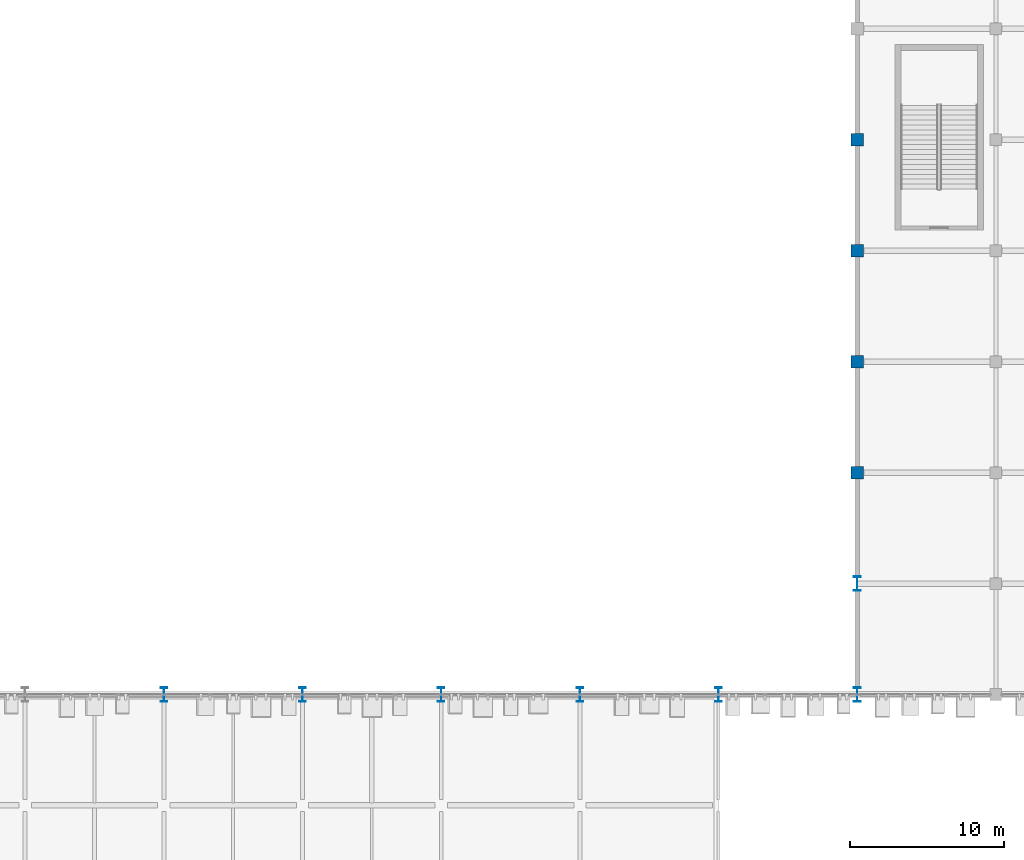
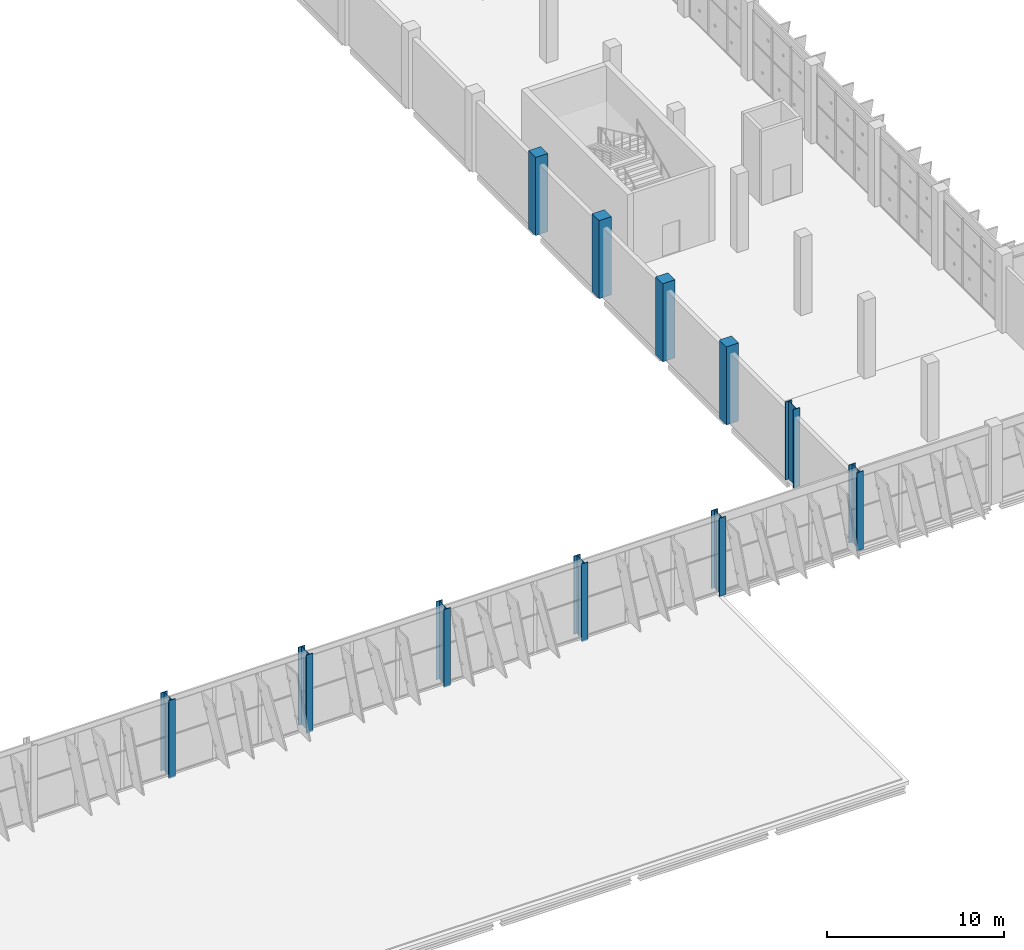
# One storey, part 2 of 189: 11 columns.
"""IFC4 building model written with IfcOpenShell, lengths in metres."""

from ifc_helpers import new_model, si_unit, direction, frame, origin, origin_2d, place, context, subcontext, project, spatial, rectangle, i_section, extrude, material, material_profile, profile_set, type_object, element, save


model = new_model("IFC4")

# Units and contexts
model_context = context("Model", 3, precision=1e-05, world=origin(), true_north=direction((0.0, 1.0)))
body_context = subcontext(model_context, "Body", "Model", "MODEL_VIEW")
ifc_project = project(units=[si_unit("LENGTHUNIT", "METRE"), si_unit("AREAUNIT", "SQUARE_METRE"), si_unit("VOLUMEUNIT", "CUBIC_METRE"), si_unit("PLANEANGLEUNIT", "RADIAN"), si_unit("MASSUNIT", "GRAM", prefix="KILO")], contexts=[model_context])

# Site, building, storey
site_placement = place(None, origin())
site = spatial("IfcSite", under=ifc_project, at=site_placement, CompositionType="ELEMENT")
building_placement = place(site_placement, origin())
building = spatial("IfcBuilding", under=site, at=building_placement, Name="Celestram Park Convention Centre", CompositionType="ELEMENT")
storey_placement = place(building_placement, frame((0.0, 0.0, 5.39990234375)))
storey = spatial("IfcBuildingStorey", under=building, at=storey_placement, Name="L01", CompositionType="ELEMENT", Elevation=5.39990234375)

# Columns
ifc_material_1 = material(Name="Concrete C40/50", Category="concrete")
ifc_material_profile_1 = material_profile(ifc_material_1, rectangle(XDim=0.800048828125, YDim=0.800048828125, at=origin_2d()), Name="RC800X800")
ifc_profile_set_1 = profile_set([ifc_material_profile_1], Name="Concrete C40/50")
column_type_1 = type_object("IfcColumnType", Name="STR-COL-RC800", PredefinedType="COLUMN", material=ifc_profile_set_1)
for number, where, z_axis, x_axis, name in (
    (1, (126.0, 36.0, 0.0), (0.0, 0.0, 1.0), (1.0, 0.0, 0.0), "Column CN-L01-139"),
    (2, (126.0, 43.199951171875, 0.0), (0.0, 0.0, 1.0), (1.0, 0.0, 0.0), "Column CN-L01-140"),
    (3, (126.0, 50.39990234375, 0.0), (0.0, 0.0, 1.0), (1.0, 0.0, 0.0), "Column CN-L01-141"),
    (4, (126.0, 57.60009765625, 0.0), (0.0, 0.0, 1.0), (1.0, 0.0, 0.0), "Column CN-L01-142"),
):
    element("IfcColumn", number, at=place(storey_placement, frame(where, z_axis=z_axis, x_axis=x_axis)), inside=storey, type_object=column_type_1, Name=name, PredefinedType="COLUMN", context=body_context, shape_type="SweptSolid", body=[
        extrude(rectangle(XDim=0.800048828125, YDim=0.800048828125, at=origin_2d()), origin(), (0.0, 0.0, 1.0), 5.400146484375),
    ])
ifc_material_2 = material(Name="Steel ASTM A992 Grade 50", Category="steel")
ifc_material_profile_2 = material_profile(ifc_material_2, i_section(OverallWidth=0.424072265625, OverallDepth=0.931884765625, WebThickness=0.02392578125, FlangeThickness=0.042724609375, at=origin_2d()), Name="W36X302")
ifc_profile_set_2 = profile_set([ifc_material_profile_2], Name="Steel ASTM A992 Grade 50")
column_type_2 = type_object("IfcColumnType", Name="STR-COL-W36X302", PredefinedType="COLUMN", material=ifc_profile_set_2)
for number, where, z_axis, x_axis, name in (
    (5, (81.0, 21.60009765625, 0.0), (0.0, 0.0, 1.0), (1.0, 0.0, 0.0), "Column CN-L01-087"),
    (6, (90.0, 21.60009765625, 0.0), (0.0, 0.0, 1.0), (1.0, 0.0, 0.0), "Column CN-L01-097"),
    (7, (99.0, 21.60009765625, 0.0), (0.0, 0.0, 1.0), (1.0, 0.0, 0.0), "Column CN-L01-107"),
    (8, (108.0, 21.60009765625, 0.0), (0.0, 0.0, 1.0), (1.0, 0.0, 0.0), "Column CN-L01-117"),
    (9, (117.0, 21.60009765625, 0.0), (0.0, 0.0, 1.0), (1.0, 0.0, 0.0), "Column CN-L01-127"),
    (10, (126.0, 21.60009765625, 0.0), (0.0, 0.0, 1.0), (1.0, 0.0, 0.0), "Column CN-L01-137"),
    (11, (126.0, 28.800048828125, 0.0), (0.0, 0.0, 1.0), (1.0, 0.0, 0.0), "Column CN-L01-138"),
):
    element("IfcColumn", number, at=place(storey_placement, frame(where, z_axis=z_axis, x_axis=x_axis)), inside=storey, type_object=column_type_2, Name=name, PredefinedType="COLUMN", context=body_context, shape_type="SweptSolid", body=[
        extrude(i_section(OverallWidth=0.424072265625, OverallDepth=0.931884765625, WebThickness=0.02392578125, FlangeThickness=0.042724609375, at=origin_2d()), origin(), (0.0, 0.0, 1.0), 5.400146484375),
    ])

save(model, "model.ifc")
